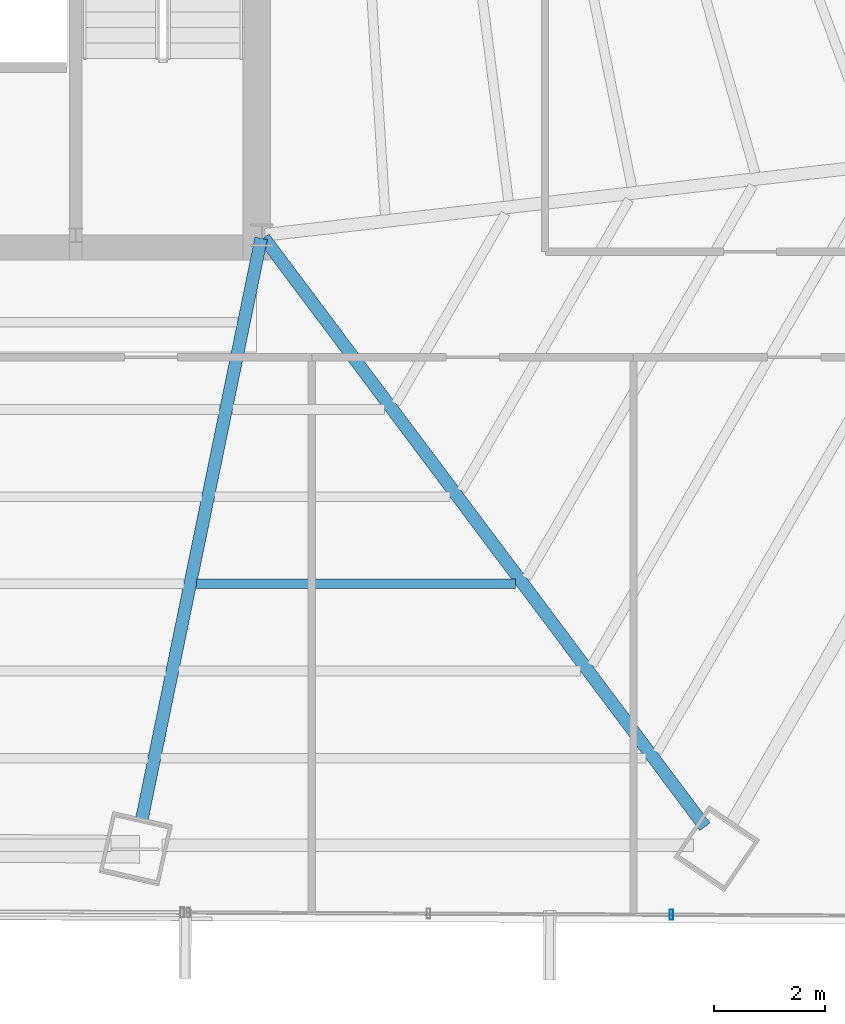
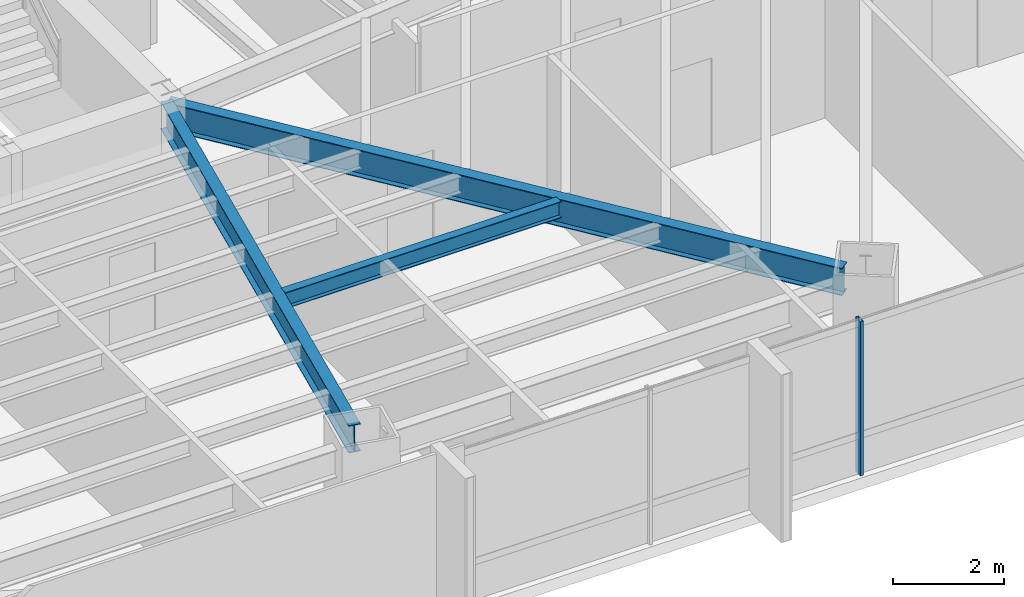
# One storey, part 16 of 37: 3 beams, 1 member, 1 element without a shape of its own.
"""IFC4 building model written with IfcOpenShell, lengths in metres."""

import ifcopenshell
import ifcopenshell.guid

model = None  # the IFC model being written
_history = None  # IfcOwnerHistory: only IFC2X3 demands one
_inside = {}  # id of a spatial element -> (the spatial element, [elements in it])
_under = {}  # id of a project, library or spatial element -> (it, [spatial elements below it])
_declared = {}  # id of a project -> (the project, [libraries it declares])
_typed = {}  # id of a type object -> (the type object, [elements of that type])
_made_of = {}  # id of a material, layer set ... -> (it, [elements and type objects made of it])


def new_model(schema):
    """Start an empty IFC model of exactly this schema.

    Asked for "IFC4X3", IfcOpenShell would pick the latest addendum, in which some entities
    have other attributes; the version numbers below select the first issue.
    IFC2X3 requires an IfcOwnerHistory on every rooted entity: one is made here for all.
    """
    global model, _history
    if schema == "IFC4X3":
        model = ifcopenshell.file(schema_version=(4, 3, 0, 0))
    else:
        model = ifcopenshell.file(schema=schema)
    _inside.clear()
    _under.clear()
    _declared.clear()
    _typed.clear()
    _made_of.clear()
    _history = None
    if model.schema == "IFC2X3":
        org = make("IfcOrganization", Name="unknown")
        user = make(
            "IfcPersonAndOrganization",
            ThePerson=make("IfcPerson", FamilyName="unknown"),
            TheOrganization=org,
        )
        app = make(
            "IfcApplication",
            ApplicationDeveloper=org,
            Version="unknown",
            ApplicationFullName="unknown",
            ApplicationIdentifier="unknown",
        )
        _history = make(
            "IfcOwnerHistory",
            OwningUser=user,
            OwningApplication=app,
            ChangeAction="ADDED",
            CreationDate=0,
        )
    return model


def make(cls, **values):
    """One entity of the class cls with the attributes given. An attribute that is None is left unset."""
    return model.create_entity(
        cls, **{name: value for name, value in values.items() if value is not None}
    )


def rooted(cls, **values):
    """An entity with a GlobalId (a new one), such as an element, a storey or a relation."""
    return make(cls, GlobalId=ifcopenshell.guid.new(), OwnerHistory=_history, **values)


def si_unit(unit_type, name, prefix=None):
    """IfcSIUnit, for example si_unit("LENGTHUNIT", "METRE", prefix="MILLI")."""
    return make("IfcSIUnit", UnitType=unit_type, Prefix=prefix, Name=name)


def assignment(units):
    """IfcUnitAssignment: the units of a project."""
    return None if units is None else make("IfcUnitAssignment", Units=units)


def point(xyz):
    """IfcCartesianPoint."""
    return None if xyz is None else make("IfcCartesianPoint", Coordinates=xyz)


def direction(xyz):
    """IfcDirection."""
    return None if xyz is None else make("IfcDirection", DirectionRatios=xyz)


def frame(location, z_axis=None, x_axis=None):
    """IfcAxis2Placement3D, a coordinate frame: its origin and axes. An axis left out is left unset."""
    return make(
        "IfcAxis2Placement3D",
        Location=point(location),
        Axis=direction(z_axis),
        RefDirection=direction(x_axis),
    )


def frame_2d(location, x_axis=None):
    """IfcAxis2Placement2D, a coordinate frame in the plane: its origin and x axis."""
    return make(
        "IfcAxis2Placement2D", Location=point(location), RefDirection=direction(x_axis)
    )


def origin():
    """The frame at (0, 0, 0) with its axes left unset."""
    return frame((0.0, 0.0, 0.0))


def origin_2d():
    """The frame at (0, 0) in the plane with its x axis left unset."""
    return frame_2d((0.0, 0.0))


def place(relative_to, where):
    """IfcLocalPlacement: puts the frame where relative to a parent placement (None: the world)."""
    return make(
        "IfcLocalPlacement", PlacementRelTo=relative_to, RelativePlacement=where
    )


def context(
    kind, dimensions, precision=None, world=None, true_north=None, identifier=None
):
    """IfcGeometricRepresentationContext, for example the 3D "Model" context."""
    return make(
        "IfcGeometricRepresentationContext",
        ContextIdentifier=identifier,
        ContextType=kind,
        CoordinateSpaceDimension=dimensions,
        Precision=precision,
        WorldCoordinateSystem=world,
        TrueNorth=true_north,
    )


def subcontext(parent, identifier, kind, view, scale=None):
    """IfcGeometricRepresentationSubContext, for example "Body" below "Model"."""
    return make(
        "IfcGeometricRepresentationSubContext",
        ContextIdentifier=identifier,
        ContextType=kind,
        ParentContext=parent,
        TargetScale=scale,
        TargetView=view,
    )


def project(units=None, contexts=None):
    """IfcProject with its units and contexts."""
    return rooted(
        "IfcProject",
        Name="project",
        RepresentationContexts=contexts,
        UnitsInContext=assignment(units),
    )


def spatial(cls, under=None, at=None, **own):
    """A site, building, storey or space (cls), placed at a placement, below another one or the project."""
    s = rooted(cls, ObjectPlacement=at, **own)
    if under is not None:
        _under.setdefault(under.id(), (under, []))[1].append(s)
    return s


def profile(cls, at=None, kind="AREA", **sizes):
    """A parametric profile (cls). Its sizes go by their IFC names, for example OverallWidth=200.0."""
    return make(cls, ProfileType=kind, Position=at, **sizes)


def hollow_rectangle(**sizes):
    """IfcRectangleHollowProfileDef."""
    return profile("IfcRectangleHollowProfileDef", **sizes)


def i_section(**sizes):
    """IfcIShapeProfileDef."""
    return profile("IfcIShapeProfileDef", **sizes)


def extrude(swept, where, along, depth):
    """IfcExtrudedAreaSolid: the profile swept, set in the frame where, extruded along a direction by depth."""
    return make(
        "IfcExtrudedAreaSolid",
        SweptArea=swept,
        Position=where,
        ExtrudedDirection=direction(along),
        Depth=depth,
    )


def shape(context_of_items, identifier, shape_type, items):
    """IfcShapeRepresentation: the items that make up one representation, for example the "Body"."""
    return make(
        "IfcShapeRepresentation",
        ContextOfItems=context_of_items,
        RepresentationIdentifier=identifier,
        RepresentationType=shape_type,
        Items=items,
    )


def source(mapping_origin, context_of_items, identifier, shape_type, items):
    """IfcRepresentationMap: a shape defined once, which mapped items show again and again."""
    return make(
        "IfcRepresentationMap",
        MappingOrigin=mapping_origin,
        MappedRepresentation=shape(context_of_items, identifier, shape_type, items),
    )


def transform(
    local_origin,
    x_axis=None,
    y_axis=None,
    z_axis=None,
    scale=None,
    scale2=None,
    scale3=None,
    uniform=True,
):
    """IfcCartesianTransformationOperator3D, or its non-uniform kind. x_axis, y_axis, z_axis: its Axis1, 2, 3."""
    if uniform:
        return make(
            "IfcCartesianTransformationOperator3D",
            Axis1=direction(x_axis),
            Axis2=direction(y_axis),
            LocalOrigin=point(local_origin),
            Scale=scale,
            Axis3=direction(z_axis),
        )
    return make(
        "IfcCartesianTransformationOperator3DnonUniform",
        Axis1=direction(x_axis),
        Axis2=direction(y_axis),
        LocalOrigin=point(local_origin),
        Scale=scale,
        Axis3=direction(z_axis),
        Scale2=scale2,
        Scale3=scale3,
    )


def mapped(mapping_source, mapping_target):
    """IfcMappedItem: shows the shape of a source again, moved by a transform."""
    return make(
        "IfcMappedItem", MappingSource=mapping_source, MappingTarget=mapping_target
    )


def material(Name=None, Category=None):
    """IfcMaterial."""
    return make("IfcMaterial", Name=Name, Category=Category)


def material_profile(
    of_material, cross_section, Name=None, Category=None, Priority=None
):
    """IfcMaterialProfile: a cross section and its material."""
    return make(
        "IfcMaterialProfile",
        Name=Name,
        Material=of_material,
        Profile=cross_section,
        Priority=Priority,
        Category=Category,
    )


def profile_set(profiles, Name=None, composite=None):
    """IfcMaterialProfileSet."""
    return make(
        "IfcMaterialProfileSet",
        Name=Name,
        MaterialProfiles=profiles,
        CompositeProfile=composite,
    )


def made_of(thing, what):
    """Note that an element or type object is made of a material, layer set ...; save() writes the relation."""
    if what is not None:
        _made_of.setdefault(what.id(), (what, []))[1].append(thing)
    return thing


def type_object(cls, material=None, **own):
    """A type object (cls), such as IfcWallType, which elements share."""
    return made_of(rooted(cls, **own), material)


def type_shapes(of_type, sources):
    """Give a type object the sources (RepresentationMaps) that its elements show as mapped items."""
    of_type.RepresentationMaps = sources


def element(
    cls,
    number,
    at=None,
    inside=None,
    cuts=None,
    type_object=None,
    material=None,
    context=None,
    identifier="Body",
    shape_type=None,
    held_by="IfcProductDefinitionShape",
    body=None,
    shapes=None,
    **own,
):
    """One element of the class cls, such as IfcWall. Its Tag is "e" and its number.

    at: its placement. inside: the storey or other place that contains it. cuts: it is an
    opening in that element (IfcRelVoidsElement). A single representation is given by context,
    identifier, shape_type and body (its items); several are given by shapes. held_by: the class
    of the entity that holds the representations. save() writes the other relations.
    """
    e = rooted(cls, Tag="e%d" % number, ObjectPlacement=at, **own)
    if body is not None:
        shapes = [shape(context, identifier, shape_type, body)]
    if shapes is not None:
        e.Representation = make(held_by, Representations=shapes)
    if inside is not None:
        _inside.setdefault(inside.id(), (inside, []))[1].append(e)
    if cuts is not None:
        rooted(
            "IfcRelVoidsElement", RelatingBuildingElement=cuts, RelatedOpeningElement=e
        )
    if type_object is not None:
        _typed.setdefault(type_object.id(), (type_object, []))[1].append(e)
    return made_of(e, material)


def aggregate(whole, parts):
    """IfcRelAggregates: a whole, such as a stair, and the parts it consists of."""
    return rooted("IfcRelAggregates", RelatingObject=whole, RelatedObjects=parts)


def save(model, path):
    """Write the relations noted so far, then the file.

    IfcRelAggregates (storeys below a building ...), IfcRelContainedInSpatialStructure (elements
    in a storey), IfcRelDefinesByType, IfcRelAssociatesMaterial and IfcRelDeclares: one each for
    every whole, place, type object, material and project.
    """
    for whole, parts in _under.values():
        aggregate(whole, parts)
    for where, things in _inside.values():
        rooted(
            "IfcRelContainedInSpatialStructure",
            RelatedElements=things,
            RelatingStructure=where,
        )
    for kind, things in _typed.values():
        rooted("IfcRelDefinesByType", RelatedObjects=things, RelatingType=kind)
    for what, things in _made_of.values():
        rooted("IfcRelAssociatesMaterial", RelatedObjects=things, RelatingMaterial=what)
    for by, libraries in _declared.values():
        rooted("IfcRelDeclares", RelatingContext=by, RelatedDefinitions=libraries)
    model.write(path)


model = new_model("IFC4")

# Units and contexts
model_context = context("Model", 3, precision=1e-05, world=origin(), true_north=direction((0.0, 1.0)))
body_context = subcontext(model_context, "Body", "Model", "MODEL_VIEW")
ifc_project = project(units=[si_unit("LENGTHUNIT", "METRE"), si_unit("AREAUNIT", "SQUARE_METRE"), si_unit("VOLUMEUNIT", "CUBIC_METRE"), si_unit("PLANEANGLEUNIT", "RADIAN"), si_unit("MASSUNIT", "GRAM", prefix="KILO")], contexts=[model_context])

# Site, building, storey
site_placement = place(None, origin())
site = spatial("IfcSite", under=ifc_project, at=site_placement, CompositionType="ELEMENT")
building_placement = place(site_placement, origin())
building = spatial("IfcBuilding", under=site, at=building_placement, Name="Caelisora Broadcast Tower", CompositionType="ELEMENT")
storey_placement = place(building_placement, frame((0.0, 0.0, 105.39990234375)))
storey = spatial("IfcBuildingStorey", under=building, at=storey_placement, Name="L27", CompositionType="ELEMENT", Elevation=105.39990234375)

# Beams
ifc_material_1 = material(Name="Steel Grade 350 (AS/NZS 3679.1)", Category="steel")
ifc_material_profile_1 = material_profile(ifc_material_1, i_section(OverallWidth=0.22802734375, OverallDepth=0.602294921875, WebThickness=0.010498046875, FlangeThickness=0.014892578125, at=origin_2d()), Name="Steel Grade 350 (AS/NZS 3679.1)")
ifc_profile_set_1 = profile_set([ifc_material_profile_1], Name="Steel Grade 350 (AS/NZS 3679.1)")
beam_type_1 = type_object("IfcBeamType", Name="PG04", PredefinedType="BEAM", material=ifc_profile_set_1)
shared_shape_1 = source(origin(), body_context, "Body", "SweptSolid", [
    extrude(i_section(OverallWidth=0.22802734375, OverallDepth=0.602294921875, WebThickness=0.010498046875, FlangeThickness=0.014892578125, at=origin_2d()), origin(), (0.0, 0.0, 1.0), 13.2470703125),
])
beam_1_placement = place(storey_placement, frame((45.535888671875, 17.35205078125, 3.098876953125), z_axis=(0.599504490676, -0.800371392329, 0.0), x_axis=(0.800371392329, 0.599504490676, 0.0)))
element("IfcBeam", 1, at=beam_1_placement, inside=storey, type_object=beam_type_1, Name="L27 beam PG04", PredefinedType="BEAM", context=body_context, shape_type="MappedRepresentation", body=[
    mapped(shared_shape_1, transform((0.0, 0.0, 0.0), scale=1.0)),
])
shared_shape_2 = source(origin(), body_context, "Body", "SweptSolid", [
    extrude(i_section(OverallWidth=0.22802734375, OverallDepth=0.602294921875, WebThickness=0.010498046875, FlangeThickness=0.014892578125, at=origin_2d()), origin(), (0.0, 0.0, 1.0), 10.736083984375),
])
type_shapes(beam_type_1, [shared_shape_1, shared_shape_2])
beam_2_placement = place(storey_placement, frame((45.48779296875, 17.34130859375, 3.098876953125), z_axis=(-0.201203760343, -0.979549410098, 0.0), x_axis=(0.979549410098, -0.201203760343, 0.0)))
element("IfcBeam", 2, at=beam_2_placement, inside=storey, type_object=beam_type_1, Name="L27 beam PG04", PredefinedType="BEAM", context=body_context, shape_type="MappedRepresentation", body=[
    mapped(shared_shape_2, transform((0.0, 0.0, 0.0), scale=1.0)),
])
ifc_material_profile_2 = material_profile(ifc_material_1, i_section(OverallWidth=0.172119140625, OverallDepth=0.358642578125, WebThickness=0.008056640625, FlangeThickness=0.012939453125, at=origin_2d()), Name="Steel Grade 350 (AS/NZS 3679.1)")
ifc_profile_set_2 = profile_set([ifc_material_profile_2], Name="Steel Grade 350 (AS/NZS 3679.1)")
beam_type_2 = type_object("IfcBeamType", Name="SB02", PredefinedType="JOIST", material=ifc_profile_set_2)
shared_shape_3 = source(origin(), body_context, "Body", "SweptSolid", [
    extrude(i_section(OverallWidth=0.172119140625, OverallDepth=0.358642578125, WebThickness=0.008056640625, FlangeThickness=0.012939453125, at=origin_2d()), origin(), (0.0, 0.0, 1.0), 5.7392578125),
])
type_shapes(beam_type_2, [shared_shape_3])
beam_3_placement = place(storey_placement, frame((44.32373046875, 11.121826171875, 3.220703125), z_axis=(1.0, 0.0, 0.0), x_axis=(0.0, 1.0, 0.0)))
element("IfcBeam", 3, at=beam_3_placement, inside=storey, type_object=beam_type_2, Name="L27 beam SB02", PredefinedType="JOIST", context=body_context, shape_type="MappedRepresentation", body=[
    mapped(shared_shape_3, transform((0.0, 0.0, 0.0), scale=1.0)),
])

# Curtain wall, member
ifc_material_2 = material(Name="Unitised Aluminium and Low-E Glass Curtain Wall", Category="glass")
curtain_wall_type = type_object("IfcCurtainWallType", Name="CW-Z2", PredefinedType="NOTDEFINED", material=ifc_material_2)
curtain_wall_placement = place(storey_placement, origin())
curtain_wall = element("IfcCurtainWall", 4, at=curtain_wall_placement, inside=storey, type_object=curtain_wall_type, Name="L27 curtain wall CW-Z2", PredefinedType="NOTDEFINED")
ifc_material_3 = material(Name="Aluminium 6063-T6 Anodised Terracotta Bronze", Category="aluminium")
ifc_material_profile_3 = material_profile(ifc_material_3, hollow_rectangle(XDim=0.06494140625, YDim=0.179931640625, WallThickness=0.00341796875, at=origin_2d()), Name="Aluminium 6063-T6 Anodised Terracotta Bronze")
ifc_profile_set_3 = profile_set([ifc_material_profile_3], Name="Aluminium 6063-T6 Anodised Terracotta Bronze")
member_type = type_object("IfcMemberType", Name="CWM-02", PredefinedType="MULLION", material=ifc_profile_set_3)
shared_shape_4 = source(origin(), body_context, "Body", "SweptSolid", [
    extrude(hollow_rectangle(XDim=0.06494140625, YDim=0.179931640625, WallThickness=0.00341796875, at=origin_2d()), origin(), (0.0, 0.0, 1.0), 3.400146484375),
])
type_shapes(member_type, [shared_shape_4])
member_placement = place(storey_placement, frame((52.872314453125, 5.1640625, 0.0), z_axis=(0.0, 0.0, 1.0), x_axis=(1.0, 0.0, 0.0)))
member = element("IfcMember", 5, at=member_placement, type_object=member_type, Name="L27-CW-B05 mullion #1", PredefinedType="MULLION", context=body_context, shape_type="MappedRepresentation", body=[
    mapped(shared_shape_4, transform((0.0, 0.0, 0.0), scale=1.0)),
])
aggregate(curtain_wall, [member])

save(model, "model.ifc")
